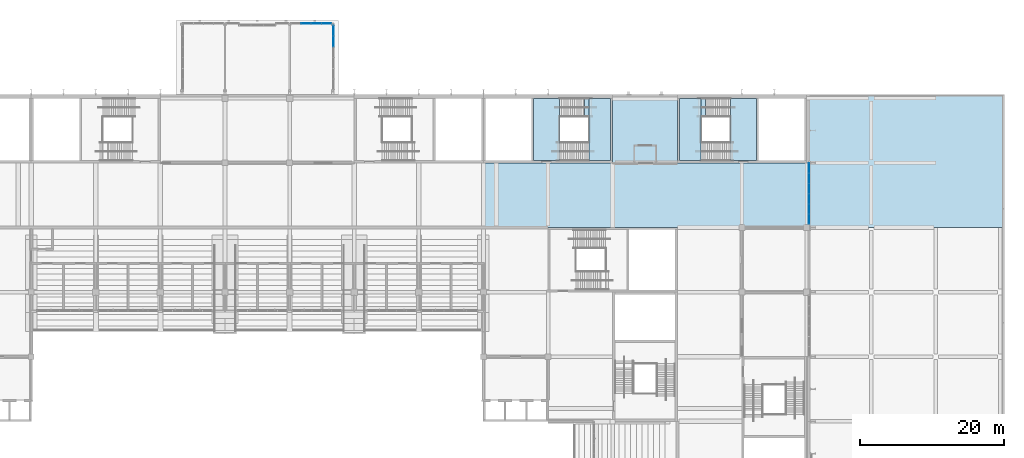
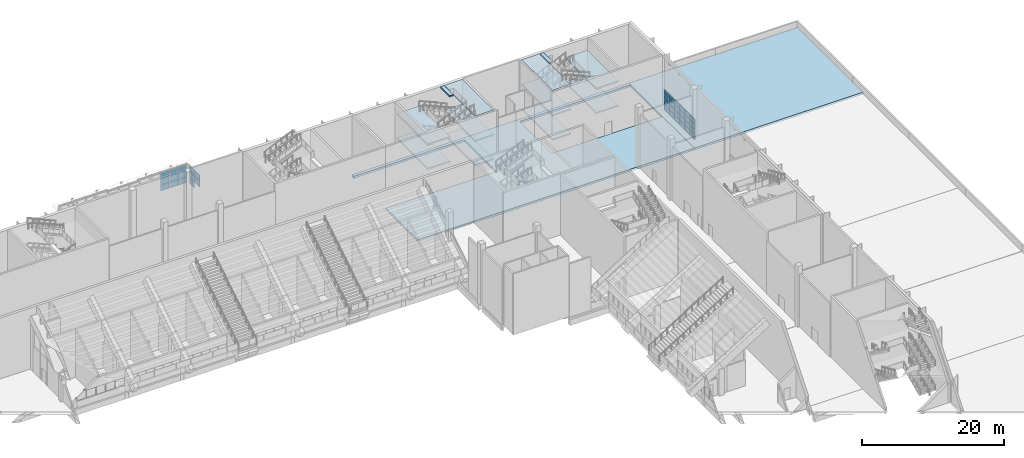
# One storey, part 79 of 182: 38 plates, 14 slabs, 5 elements without a shape of their own.
"""IFC4 building model written with IfcOpenShell, lengths in metres."""

from ifc_helpers import new_model, si_unit, direction, frame, origin, origin_2d, place, context, subcontext, project, spatial, polyline, rectangle, outline, extrude, material, layer, layer_set, type_object, element, aggregate, save


model = new_model("IFC4")

# Units and contexts
model_context = context("Model", 3, precision=1e-05, world=origin(), true_north=direction((0.0, 1.0)))
body_context = subcontext(model_context, "Body", "Model", "MODEL_VIEW")
ifc_project = project(units=[si_unit("LENGTHUNIT", "METRE"), si_unit("AREAUNIT", "SQUARE_METRE"), si_unit("VOLUMEUNIT", "CUBIC_METRE"), si_unit("PLANEANGLEUNIT", "RADIAN"), si_unit("MASSUNIT", "GRAM", prefix="KILO")], contexts=[model_context])

# Site, building, storey
site_placement = place(None, origin())
site = spatial("IfcSite", under=ifc_project, at=site_placement, CompositionType="ELEMENT")
building_placement = place(site_placement, origin())
building = spatial("IfcBuilding", under=site, at=building_placement, Name="Silverbay Arena", CompositionType="ELEMENT")
storey_placement = place(building_placement, frame((0.0, 0.0, 11.5)))
storey = spatial("IfcBuildingStorey", under=building, at=storey_placement, Name="L02", CompositionType="ELEMENT", Elevation=11.5)

# Curtain wall, plates
ifc_material_1 = material(Name="Aluminium framed curtain wall", Category="aluminium")
curtain_wall_type_1 = type_object("IfcCurtainWallType", Name="Curtain wall 5700 x 3200", PredefinedType="NOTDEFINED", material=ifc_material_1)
curtain_wall_1_placement = place(storey_placement, origin())
curtain_wall_1 = element("IfcCurtainWall", 1, at=curtain_wall_1_placement, inside=storey, type_object=curtain_wall_type_1, Name="North entrance hall N1 glazing F2", PredefinedType="NOTDEFINED")
ifc_material_2 = material(Name="Laminated glass", Category="glass")
ifc_layer_1 = layer(ifc_material_2, 0.028076171875)
ifc_layer_set_1 = layer_set([ifc_layer_1], Name="Laminated glass")
plate_type_1 = type_object("IfcPlateType", Name="Glass panel 28", PredefinedType="CURTAIN_PANEL", material=ifc_layer_set_1)
plate_1_placement = place(storey_placement, frame((137.28759765625, 154.409912109375, 0.050048828125), z_axis=(0.0, 0.0, 1.0), x_axis=(1.0, 0.0, 0.0)))
plate_1 = element("IfcPlate", 2, at=plate_1_placement, type_object=plate_type_1, Name="CW43 panel 2.1", PredefinedType="CURTAIN_PANEL", context=body_context, shape_type="SweptSolid", body=[
    extrude(rectangle(XDim=1.364990234375, YDim=0.028076171875, at=origin_2d()), origin(), (0.0, 0.0, 1.0), 0.99169921875),
])
plate_2_placement = place(storey_placement, frame((137.28759765625, 154.409912109375, 1.091796875), z_axis=(0.0, 0.0, 1.0), x_axis=(1.0, 0.0, 0.0)))
plate_2 = element("IfcPlate", 3, at=plate_2_placement, type_object=plate_type_1, Name="CW43 panel 2.2", PredefinedType="CURTAIN_PANEL", context=body_context, shape_type="SweptSolid", body=[
    extrude(rectangle(XDim=1.364990234375, YDim=0.028076171875, at=origin_2d()), origin(), (0.0, 0.0, 1.0), 1.0166015625),
])
plate_3_placement = place(storey_placement, frame((137.28759765625, 154.409912109375, 2.158203125), z_axis=(0.0, 0.0, 1.0), x_axis=(1.0, 0.0, 0.0)))
plate_3 = element("IfcPlate", 4, at=plate_3_placement, type_object=plate_type_1, Name="CW43 panel 2.3", PredefinedType="CURTAIN_PANEL", context=body_context, shape_type="SweptSolid", body=[
    extrude(rectangle(XDim=1.364990234375, YDim=0.028076171875, at=origin_2d()), origin(), (0.0, 0.0, 1.0), 0.99169921875),
])
plate_4_placement = place(storey_placement, frame((138.71240234375, 154.409912109375, 0.050048828125), z_axis=(0.0, 0.0, 1.0), x_axis=(1.0, 0.0, 0.0)))
plate_4 = element("IfcPlate", 5, at=plate_4_placement, type_object=plate_type_1, Name="CW43 panel 3.1", PredefinedType="CURTAIN_PANEL", context=body_context, shape_type="SweptSolid", body=[
    extrude(rectangle(XDim=1.364990234375, YDim=0.028076171875, at=origin_2d()), origin(), (0.0, 0.0, 1.0), 0.99169921875),
])
plate_5_placement = place(storey_placement, frame((138.71240234375, 154.409912109375, 1.091796875), z_axis=(0.0, 0.0, 1.0), x_axis=(1.0, 0.0, 0.0)))
plate_5 = element("IfcPlate", 6, at=plate_5_placement, type_object=plate_type_1, Name="CW43 panel 3.2", PredefinedType="CURTAIN_PANEL", context=body_context, shape_type="SweptSolid", body=[
    extrude(rectangle(XDim=1.364990234375, YDim=0.028076171875, at=origin_2d()), origin(), (0.0, 0.0, 1.0), 1.0166015625),
])
plate_6_placement = place(storey_placement, frame((138.71240234375, 154.409912109375, 2.158203125), z_axis=(0.0, 0.0, 1.0), x_axis=(1.0, 0.0, 0.0)))
plate_6 = element("IfcPlate", 7, at=plate_6_placement, type_object=plate_type_1, Name="CW43 panel 3.3", PredefinedType="CURTAIN_PANEL", context=body_context, shape_type="SweptSolid", body=[
    extrude(rectangle(XDim=1.364990234375, YDim=0.028076171875, at=origin_2d()), origin(), (0.0, 0.0, 1.0), 0.99169921875),
])
plate_7_placement = place(storey_placement, frame((140.12255859375, 154.409912109375, 0.050048828125), z_axis=(0.0, 0.0, 1.0), x_axis=(1.0, 0.0, 0.0)))
plate_7 = element("IfcPlate", 8, at=plate_7_placement, type_object=plate_type_1, Name="CW43 panel 4.1", PredefinedType="CURTAIN_PANEL", context=body_context, shape_type="SweptSolid", body=[
    extrude(rectangle(XDim=1.3349609375, YDim=0.028076171875, at=origin_2d()), origin(), (0.0, 0.0, 1.0), 0.99169921875),
])
plate_8_placement = place(storey_placement, frame((140.12255859375, 154.409912109375, 1.091796875), z_axis=(0.0, 0.0, 1.0), x_axis=(1.0, 0.0, 0.0)))
plate_8 = element("IfcPlate", 9, at=plate_8_placement, type_object=plate_type_1, Name="CW43 panel 4.2", PredefinedType="CURTAIN_PANEL", context=body_context, shape_type="SweptSolid", body=[
    extrude(rectangle(XDim=1.3349609375, YDim=0.028076171875, at=origin_2d()), origin(), (0.0, 0.0, 1.0), 1.0166015625),
])
plate_9_placement = place(storey_placement, frame((140.12255859375, 154.409912109375, 2.158203125), z_axis=(0.0, 0.0, 1.0), x_axis=(1.0, 0.0, 0.0)))
plate_9 = element("IfcPlate", 10, at=plate_9_placement, type_object=plate_type_1, Name="CW43 panel 4.3", PredefinedType="CURTAIN_PANEL", context=body_context, shape_type="SweptSolid", body=[
    extrude(rectangle(XDim=1.3349609375, YDim=0.028076171875, at=origin_2d()), origin(), (0.0, 0.0, 1.0), 0.99169921875),
])
aggregate(curtain_wall_1, [plate_1, plate_2, plate_3, plate_4, plate_5, plate_6, plate_7, plate_8, plate_9])

ifc_material_3 = material(Name="Aluminium framed curtain wall", Category="aluminium")
curtain_wall_type_2 = type_object("IfcCurtainWallType", Name="Curtain wall 8950 x 3200", PredefinedType="NOTDEFINED", material=ifc_material_3)
curtain_wall_2_placement = place(storey_placement, origin())
curtain_wall_2 = element("IfcCurtainWall", 11, at=curtain_wall_2_placement, inside=storey, type_object=curtain_wall_type_2, Name="North entrance hall N1 glazing SB", PredefinedType="NOTDEFINED")
plate_10_placement = place(storey_placement, frame((141.110107421875, 153.38916015625, 0.050048828125), z_axis=(0.0, 0.0, 1.0), x_axis=(0.0, -1.0, 0.0)))
plate_10 = element("IfcPlate", 12, at=plate_10_placement, type_object=plate_type_1, Name="CW47 panel 1.1", PredefinedType="CURTAIN_PANEL", context=body_context, shape_type="SweptSolid", body=[
    extrude(rectangle(XDim=1.401611328125, YDim=0.028076171875, at=origin_2d()), origin(), (0.0, 0.0, 1.0), 0.99169921875),
])
plate_11_placement = place(storey_placement, frame((141.110107421875, 153.38916015625, 1.091796875), z_axis=(0.0, 0.0, 1.0), x_axis=(0.0, -1.0, 0.0)))
plate_11 = element("IfcPlate", 13, at=plate_11_placement, type_object=plate_type_1, Name="CW47 panel 1.2", PredefinedType="CURTAIN_PANEL", context=body_context, shape_type="SweptSolid", body=[
    extrude(rectangle(XDim=1.401611328125, YDim=0.028076171875, at=origin_2d()), origin(), (0.0, 0.0, 1.0), 1.0166015625),
])
plate_12_placement = place(storey_placement, frame((141.110107421875, 153.38916015625, 2.158203125), z_axis=(0.0, 0.0, 1.0), x_axis=(0.0, -1.0, 0.0)))
plate_12 = element("IfcPlate", 14, at=plate_12_placement, type_object=plate_type_1, Name="CW47 panel 1.3", PredefinedType="CURTAIN_PANEL", context=body_context, shape_type="SweptSolid", body=[
    extrude(rectangle(XDim=1.401611328125, YDim=0.028076171875, at=origin_2d()), origin(), (0.0, 0.0, 1.0), 0.99169921875),
])
plate_13_placement = place(storey_placement, frame((141.110107421875, 151.91259765625, 1.091796875), z_axis=(0.0, 0.0, 1.0), x_axis=(0.0, -1.0, 0.0)))
plate_13 = element("IfcPlate", 15, at=plate_13_placement, type_object=plate_type_1, Name="CW47 panel 2.2", PredefinedType="CURTAIN_PANEL", context=body_context, shape_type="SweptSolid", body=[
    extrude(rectangle(XDim=1.431640625, YDim=0.028076171875, at=origin_2d()), origin(), (0.0, 0.0, 1.0), 1.0166015625),
])
plate_14_placement = place(storey_placement, frame((141.110107421875, 151.91259765625, 2.158203125), z_axis=(0.0, 0.0, 1.0), x_axis=(0.0, -1.0, 0.0)))
plate_14 = element("IfcPlate", 16, at=plate_14_placement, type_object=plate_type_1, Name="CW47 panel 2.3", PredefinedType="CURTAIN_PANEL", context=body_context, shape_type="SweptSolid", body=[
    extrude(rectangle(XDim=1.431640625, YDim=0.028076171875, at=origin_2d()), origin(), (0.0, 0.0, 1.0), 0.99169921875),
])
aggregate(curtain_wall_2, [plate_10, plate_11, plate_12, plate_13, plate_14])

ifc_material_4 = material(Name="Aluminium framed curtain wall", Category="aluminium")
curtain_wall_type_3 = type_object("IfcCurtainWallType", Name="Curtain wall 8550 x 3600", PredefinedType="NOTDEFINED", material=ifc_material_4)
curtain_wall_3_placement = place(storey_placement, origin())
curtain_wall_3 = element("IfcCurtainWall", 17, at=curtain_wall_3_placement, inside=storey, type_object=curtain_wall_type_3, Name="East curtain wall L02 bay 13", PredefinedType="NOTDEFINED")
ifc_material_5 = material(Name="Laminated glass", Category="glass")
ifc_layer_2 = layer(ifc_material_5, 0.035888671875)
ifc_layer_set_2 = layer_set([ifc_layer_2], Name="Laminated glass")
plate_type_2 = type_object("IfcPlateType", Name="Glass panel 36", PredefinedType="CURTAIN_PANEL", material=ifc_layer_set_2)
plate_15_placement = place(storey_placement, frame((207.35009765625, 127.177490234375, 1.0498046875), z_axis=(0.0, 0.0, 1.0), x_axis=(0.0, 1.0, 0.0)))
plate_15 = element("IfcPlate", 18, at=plate_15_placement, type_object=plate_type_2, Name="CW10 panel 1.1", PredefinedType="CURTAIN_PANEL", context=body_context, shape_type="SweptSolid", body=[
    extrude(rectangle(XDim=1.3349609375, YDim=0.035888671875, at=origin_2d()), origin(), (0.0, 0.0, 1.0), 0.824951171875),
])
plate_16_placement = place(storey_placement, frame((207.35009765625, 127.177490234375, 1.925048828125), z_axis=(0.0, 0.0, 1.0), x_axis=(0.0, 1.0, 0.0)))
plate_16 = element("IfcPlate", 19, at=plate_16_placement, type_object=plate_type_2, Name="CW10 panel 1.2", PredefinedType="CURTAIN_PANEL", context=body_context, shape_type="SweptSolid", body=[
    extrude(rectangle(XDim=1.3349609375, YDim=0.035888671875, at=origin_2d()), origin(), (0.0, 0.0, 1.0), 0.85009765625),
])
plate_17_placement = place(storey_placement, frame((207.35009765625, 127.177490234375, 2.824951171875), z_axis=(0.0, 0.0, 1.0), x_axis=(0.0, 1.0, 0.0)))
plate_17 = element("IfcPlate", 20, at=plate_17_placement, type_object=plate_type_2, Name="CW10 panel 1.3", PredefinedType="CURTAIN_PANEL", context=body_context, shape_type="SweptSolid", body=[
    extrude(rectangle(XDim=1.3349609375, YDim=0.035888671875, at=origin_2d()), origin(), (0.0, 0.0, 1.0), 0.85009765625),
])
plate_18_placement = place(storey_placement, frame((207.35009765625, 127.177490234375, 3.72509765625), z_axis=(0.0, 0.0, 1.0), x_axis=(0.0, 1.0, 0.0)))
plate_18 = element("IfcPlate", 21, at=plate_18_placement, type_object=plate_type_2, Name="CW10 panel 1.4", PredefinedType="CURTAIN_PANEL", context=body_context, shape_type="SweptSolid", body=[
    extrude(rectangle(XDim=1.3349609375, YDim=0.035888671875, at=origin_2d()), origin(), (0.0, 0.0, 1.0), 0.824951171875),
])
plate_19_placement = place(storey_placement, frame((207.35009765625, 128.58740234375, 1.0498046875), z_axis=(0.0, 0.0, 1.0), x_axis=(0.0, 1.0, 0.0)))
plate_19 = element("IfcPlate", 22, at=plate_19_placement, type_object=plate_type_2, Name="CW10 panel 2.1", PredefinedType="CURTAIN_PANEL", context=body_context, shape_type="SweptSolid", body=[
    extrude(rectangle(XDim=1.364990234375, YDim=0.035888671875, at=origin_2d()), origin(), (0.0, 0.0, 1.0), 0.824951171875),
])
plate_20_placement = place(storey_placement, frame((207.35009765625, 128.58740234375, 1.925048828125), z_axis=(0.0, 0.0, 1.0), x_axis=(0.0, 1.0, 0.0)))
plate_20 = element("IfcPlate", 23, at=plate_20_placement, type_object=plate_type_2, Name="CW10 panel 2.2", PredefinedType="CURTAIN_PANEL", context=body_context, shape_type="SweptSolid", body=[
    extrude(rectangle(XDim=1.364990234375, YDim=0.035888671875, at=origin_2d()), origin(), (0.0, 0.0, 1.0), 0.85009765625),
])
plate_21_placement = place(storey_placement, frame((207.35009765625, 128.58740234375, 2.824951171875), z_axis=(0.0, 0.0, 1.0), x_axis=(0.0, 1.0, 0.0)))
plate_21 = element("IfcPlate", 24, at=plate_21_placement, type_object=plate_type_2, Name="CW10 panel 2.3", PredefinedType="CURTAIN_PANEL", context=body_context, shape_type="SweptSolid", body=[
    extrude(rectangle(XDim=1.364990234375, YDim=0.035888671875, at=origin_2d()), origin(), (0.0, 0.0, 1.0), 0.85009765625),
])
plate_22_placement = place(storey_placement, frame((207.35009765625, 128.58740234375, 3.72509765625), z_axis=(0.0, 0.0, 1.0), x_axis=(0.0, 1.0, 0.0)))
plate_22 = element("IfcPlate", 25, at=plate_22_placement, type_object=plate_type_2, Name="CW10 panel 2.4", PredefinedType="CURTAIN_PANEL", context=body_context, shape_type="SweptSolid", body=[
    extrude(rectangle(XDim=1.364990234375, YDim=0.035888671875, at=origin_2d()), origin(), (0.0, 0.0, 1.0), 0.824951171875),
])
plate_23_placement = place(storey_placement, frame((207.35009765625, 130.012451171875, 1.0498046875), z_axis=(0.0, 0.0, 1.0), x_axis=(0.0, 1.0, 0.0)))
plate_23 = element("IfcPlate", 26, at=plate_23_placement, type_object=plate_type_2, Name="CW10 panel 3.1", PredefinedType="CURTAIN_PANEL", context=body_context, shape_type="SweptSolid", body=[
    extrude(rectangle(XDim=1.364990234375, YDim=0.035888671875, at=origin_2d()), origin(), (0.0, 0.0, 1.0), 0.824951171875),
])
plate_24_placement = place(storey_placement, frame((207.35009765625, 130.012451171875, 1.925048828125), z_axis=(0.0, 0.0, 1.0), x_axis=(0.0, 1.0, 0.0)))
plate_24 = element("IfcPlate", 27, at=plate_24_placement, type_object=plate_type_2, Name="CW10 panel 3.2", PredefinedType="CURTAIN_PANEL", context=body_context, shape_type="SweptSolid", body=[
    extrude(rectangle(XDim=1.364990234375, YDim=0.035888671875, at=origin_2d()), origin(), (0.0, 0.0, 1.0), 0.85009765625),
])
plate_25_placement = place(storey_placement, frame((207.35009765625, 130.012451171875, 2.824951171875), z_axis=(0.0, 0.0, 1.0), x_axis=(0.0, 1.0, 0.0)))
plate_25 = element("IfcPlate", 28, at=plate_25_placement, type_object=plate_type_2, Name="CW10 panel 3.3", PredefinedType="CURTAIN_PANEL", context=body_context, shape_type="SweptSolid", body=[
    extrude(rectangle(XDim=1.364990234375, YDim=0.035888671875, at=origin_2d()), origin(), (0.0, 0.0, 1.0), 0.85009765625),
])
plate_26_placement = place(storey_placement, frame((207.35009765625, 130.012451171875, 3.72509765625), z_axis=(0.0, 0.0, 1.0), x_axis=(0.0, 1.0, 0.0)))
plate_26 = element("IfcPlate", 29, at=plate_26_placement, type_object=plate_type_2, Name="CW10 panel 3.4", PredefinedType="CURTAIN_PANEL", context=body_context, shape_type="SweptSolid", body=[
    extrude(rectangle(XDim=1.364990234375, YDim=0.035888671875, at=origin_2d()), origin(), (0.0, 0.0, 1.0), 0.824951171875),
])
plate_27_placement = place(storey_placement, frame((207.35009765625, 131.4375, 1.0498046875), z_axis=(0.0, 0.0, 1.0), x_axis=(0.0, 1.0, 0.0)))
plate_27 = element("IfcPlate", 30, at=plate_27_placement, type_object=plate_type_2, Name="CW10 panel 4.1", PredefinedType="CURTAIN_PANEL", context=body_context, shape_type="SweptSolid", body=[
    extrude(rectangle(XDim=1.364990234375, YDim=0.035888671875, at=origin_2d()), origin(), (0.0, 0.0, 1.0), 0.824951171875),
])
plate_28_placement = place(storey_placement, frame((207.35009765625, 131.4375, 1.925048828125), z_axis=(0.0, 0.0, 1.0), x_axis=(0.0, 1.0, 0.0)))
plate_28 = element("IfcPlate", 31, at=plate_28_placement, type_object=plate_type_2, Name="CW10 panel 4.2", PredefinedType="CURTAIN_PANEL", context=body_context, shape_type="SweptSolid", body=[
    extrude(rectangle(XDim=1.364990234375, YDim=0.035888671875, at=origin_2d()), origin(), (0.0, 0.0, 1.0), 0.85009765625),
])
plate_29_placement = place(storey_placement, frame((207.35009765625, 131.4375, 2.824951171875), z_axis=(0.0, 0.0, 1.0), x_axis=(0.0, 1.0, 0.0)))
plate_29 = element("IfcPlate", 32, at=plate_29_placement, type_object=plate_type_2, Name="CW10 panel 4.3", PredefinedType="CURTAIN_PANEL", context=body_context, shape_type="SweptSolid", body=[
    extrude(rectangle(XDim=1.364990234375, YDim=0.035888671875, at=origin_2d()), origin(), (0.0, 0.0, 1.0), 0.85009765625),
])
plate_30_placement = place(storey_placement, frame((207.35009765625, 131.4375, 3.72509765625), z_axis=(0.0, 0.0, 1.0), x_axis=(0.0, 1.0, 0.0)))
plate_30 = element("IfcPlate", 33, at=plate_30_placement, type_object=plate_type_2, Name="CW10 panel 4.4", PredefinedType="CURTAIN_PANEL", context=body_context, shape_type="SweptSolid", body=[
    extrude(rectangle(XDim=1.364990234375, YDim=0.035888671875, at=origin_2d()), origin(), (0.0, 0.0, 1.0), 0.824951171875),
])
plate_31_placement = place(storey_placement, frame((207.35009765625, 132.862548828125, 1.0498046875), z_axis=(0.0, 0.0, 1.0), x_axis=(0.0, 1.0, 0.0)))
plate_31 = element("IfcPlate", 34, at=plate_31_placement, type_object=plate_type_2, Name="CW10 panel 5.1", PredefinedType="CURTAIN_PANEL", context=body_context, shape_type="SweptSolid", body=[
    extrude(rectangle(XDim=1.364990234375, YDim=0.035888671875, at=origin_2d()), origin(), (0.0, 0.0, 1.0), 0.824951171875),
])
plate_32_placement = place(storey_placement, frame((207.35009765625, 132.862548828125, 1.925048828125), z_axis=(0.0, 0.0, 1.0), x_axis=(0.0, 1.0, 0.0)))
plate_32 = element("IfcPlate", 35, at=plate_32_placement, type_object=plate_type_2, Name="CW10 panel 5.2", PredefinedType="CURTAIN_PANEL", context=body_context, shape_type="SweptSolid", body=[
    extrude(rectangle(XDim=1.364990234375, YDim=0.035888671875, at=origin_2d()), origin(), (0.0, 0.0, 1.0), 0.85009765625),
])
plate_33_placement = place(storey_placement, frame((207.35009765625, 132.862548828125, 2.824951171875), z_axis=(0.0, 0.0, 1.0), x_axis=(0.0, 1.0, 0.0)))
plate_33 = element("IfcPlate", 36, at=plate_33_placement, type_object=plate_type_2, Name="CW10 panel 5.3", PredefinedType="CURTAIN_PANEL", context=body_context, shape_type="SweptSolid", body=[
    extrude(rectangle(XDim=1.364990234375, YDim=0.035888671875, at=origin_2d()), origin(), (0.0, 0.0, 1.0), 0.85009765625),
])
plate_34_placement = place(storey_placement, frame((207.35009765625, 132.862548828125, 3.72509765625), z_axis=(0.0, 0.0, 1.0), x_axis=(0.0, 1.0, 0.0)))
plate_34 = element("IfcPlate", 37, at=plate_34_placement, type_object=plate_type_2, Name="CW10 panel 5.4", PredefinedType="CURTAIN_PANEL", context=body_context, shape_type="SweptSolid", body=[
    extrude(rectangle(XDim=1.364990234375, YDim=0.035888671875, at=origin_2d()), origin(), (0.0, 0.0, 1.0), 0.824951171875),
])
plate_35_placement = place(storey_placement, frame((207.35009765625, 134.2724609375, 1.0498046875), z_axis=(0.0, 0.0, 1.0), x_axis=(0.0, 1.0, 0.0)))
plate_35 = element("IfcPlate", 38, at=plate_35_placement, type_object=plate_type_2, Name="CW10 panel 6.1", PredefinedType="CURTAIN_PANEL", context=body_context, shape_type="SweptSolid", body=[
    extrude(rectangle(XDim=1.3349609375, YDim=0.035888671875, at=origin_2d()), origin(), (0.0, 0.0, 1.0), 0.824951171875),
])
plate_36_placement = place(storey_placement, frame((207.35009765625, 134.2724609375, 1.925048828125), z_axis=(0.0, 0.0, 1.0), x_axis=(0.0, 1.0, 0.0)))
plate_36 = element("IfcPlate", 39, at=plate_36_placement, type_object=plate_type_2, Name="CW10 panel 6.2", PredefinedType="CURTAIN_PANEL", context=body_context, shape_type="SweptSolid", body=[
    extrude(rectangle(XDim=1.3349609375, YDim=0.035888671875, at=origin_2d()), origin(), (0.0, 0.0, 1.0), 0.85009765625),
])
plate_37_placement = place(storey_placement, frame((207.35009765625, 134.2724609375, 2.824951171875), z_axis=(0.0, 0.0, 1.0), x_axis=(0.0, 1.0, 0.0)))
plate_37 = element("IfcPlate", 40, at=plate_37_placement, type_object=plate_type_2, Name="CW10 panel 6.3", PredefinedType="CURTAIN_PANEL", context=body_context, shape_type="SweptSolid", body=[
    extrude(rectangle(XDim=1.3349609375, YDim=0.035888671875, at=origin_2d()), origin(), (0.0, 0.0, 1.0), 0.85009765625),
])
plate_38_placement = place(storey_placement, frame((207.35009765625, 134.2724609375, 3.72509765625), z_axis=(0.0, 0.0, 1.0), x_axis=(0.0, 1.0, 0.0)))
plate_38 = element("IfcPlate", 41, at=plate_38_placement, type_object=plate_type_2, Name="CW10 panel 6.4", PredefinedType="CURTAIN_PANEL", context=body_context, shape_type="SweptSolid", body=[
    extrude(rectangle(XDim=1.3349609375, YDim=0.035888671875, at=origin_2d()), origin(), (0.0, 0.0, 1.0), 0.824951171875),
])
aggregate(curtain_wall_3, [plate_15, plate_16, plate_17, plate_18, plate_19, plate_20, plate_21, plate_22, plate_23, plate_24, plate_25, plate_26, plate_27, plate_28, plate_29, plate_30, plate_31, plate_32, plate_33, plate_34, plate_35, plate_36, plate_37, plate_38])

# Slabs
ifc_material_6 = material(Name="Concrete Grade C45", Category="concrete")
ifc_layer_3 = layer(ifc_material_6, 0.35009765625)
ifc_layer_set_3 = layer_set([ifc_layer_3], Name="Concrete Grade C45")
slab_type_1 = type_object("IfcSlabType", Name="RC floor slab 350", PredefinedType="FLOOR", material=ifc_layer_set_3)
slab_1_placement = place(storey_placement, frame((0.0, 0.0, -0.35009765625)))
element("IfcSlab", 42, at=slab_1_placement, inside=storey, type_object=slab_type_1, Name="Floor slab L02 unit 14", PredefinedType="FLOOR", context=body_context, shape_type="SweptSolid", body=[
    extrude(outline(polyline([(162.0, 126.02490234375), (162.0, 135.0), (180.0, 135.0), (180.0, 144.0), (162.0, 144.0), (162.0, 144.5), (207.0, 144.5), (207.0, 144.0), (189.0, 144.0), (189.0, 135.0), (207.0, 135.0), (207.0, 126.02490234375), (162.0, 126.02490234375)])), origin(), (0.0, 0.0, 1.0), 0.35009765625),
])
ifc_material_7 = material(Name="Concrete Grade C45", Category="concrete")
ifc_layer_4 = layer(ifc_material_7, 0.35009765625)
ifc_layer_set_4 = layer_set([ifc_layer_4], Name="Concrete Grade C45")
slab_type_2 = type_object("IfcSlabType", Name="RC roof slab 350", PredefinedType="ROOF", material=ifc_layer_set_4)
slab_2_placement = place(storey_placement, frame((0.0, 0.0, -0.35009765625)))
element("IfcSlab", 43, at=slab_2_placement, inside=storey, type_object=slab_type_2, Name="Roof slab L02 unit 10", PredefinedType="ROOF", context=body_context, shape_type="SweptSolid", body=[
    extrude(outline(polyline([(207.0, 126.02490234375), (207.0, 144.5), (234.5, 144.5), (234.5, 126.02490234375), (207.0, 126.02490234375)])), origin(), (0.0, 0.0, 1.0), 0.35009765625),
])

# Stair, slab
ifc_material_8 = material(Name="Concrete Grade C45", Category="concrete")
stair_type = type_object("IfcStairType", Name="Stair 2600 wide 80 risers 131.2 x 300", PredefinedType="HALF_TURN_STAIR", material=ifc_material_8)
stair_1_placement = place(storey_placement, origin())
stair_1 = element("IfcStair", 44, at=stair_1_placement, inside=storey, type_object=stair_type, Name="Stair ST-N4 L02 to L03", PredefinedType="HALF_TURN_STAIR")
ifc_material_9 = material(Name="Concrete Grade C45", Category="concrete")
ifc_layer_5 = layer(ifc_material_9, 0.25)
ifc_layer_set_5 = layer_set([ifc_layer_5], Name="Concrete Grade C45")
slab_type_3 = type_object("IfcSlabType", Name="Stair arrival platform RC 250", PredefinedType="FLOOR", material=ifc_layer_set_5)
slab_3_placement = place(storey_placement, frame((0.0, 0.0, 10.25)))
slab_3 = element("IfcSlab", 45, at=slab_3_placement, type_object=slab_type_3, Name="Stair ST-N4 L02 to L03 arrival platform 6", PredefinedType="FLOOR", context=body_context, shape_type="SweptSolid", body=[
    extrude(outline(polyline([(176.10009765625, 141.39990234375), (176.725830078125, 141.39990234375), (176.725830078125, 144.0), (176.10009765625, 144.0), (176.10009765625, 141.39990234375)])), origin(), (0.0, 0.0, 1.0), 0.25),
])

stair_2_placement = place(storey_placement, origin())
stair_2 = element("IfcStair", 46, at=stair_2_placement, inside=storey, type_object=stair_type, Name="Stair ST-N6 L02 to L03", PredefinedType="HALF_TURN_STAIR")
slab_4_placement = place(storey_placement, frame((0.0, 0.0, 10.25)))
slab_4 = element("IfcSlab", 47, at=slab_4_placement, type_object=slab_type_3, Name="Stair ST-N6 L02 to L03 arrival platform 6", PredefinedType="FLOOR", context=body_context, shape_type="SweptSolid", body=[
    extrude(outline(polyline([(192.89990234375, 141.39990234375), (192.274169921875, 141.39990234375), (192.274169921875, 144.0), (192.89990234375, 144.0), (192.89990234375, 141.39990234375)])), origin(), (0.0, 0.0, 1.0), 0.25),
])

# Slab
ifc_material_10 = material(Name="Concrete Grade C45", Category="concrete")
ifc_layer_6 = layer(ifc_material_10, 0.25)
ifc_layer_set_6 = layer_set([ifc_layer_6], Name="Concrete Grade C45")
slab_type_4 = type_object("IfcSlabType", Name="Stair landing RC 250", PredefinedType="LANDING", material=ifc_layer_set_6)
slab_5_placement = place(storey_placement, frame((0.0, 0.0, 1.85009765625)))
slab_5 = element("IfcSlab", 48, at=slab_5_placement, type_object=slab_type_4, Name="Stair ST-N4 L02 to L03 landing 1", PredefinedType="LANDING", context=body_context, shape_type="SweptSolid", body=[
    extrude(outline(polyline([(176.725830078125, 135.300048828125), (179.699951171875, 135.300048828125), (179.699951171875, 144.0), (176.725830078125, 144.0), (176.725830078125, 135.300048828125)])), origin(), (0.0, 0.0, 1.0), 0.25),
])

slab_6_placement = place(storey_placement, frame((0.0, 0.0, 3.949951171875)))
slab_6 = element("IfcSlab", 49, at=slab_6_placement, type_object=slab_type_4, Name="Stair ST-N4 L02 to L03 landing 2", PredefinedType="LANDING", context=body_context, shape_type="SweptSolid", body=[
    extrude(outline(polyline([(169.0, 135.300048828125), (172.60009765625, 135.300048828125), (172.60009765625, 144.0), (169.0, 144.0), (169.0, 135.300048828125)])), origin(), (0.0, 0.0, 1.0), 0.25),
])

slab_7_placement = place(storey_placement, frame((0.0, 0.0, 6.050048828125)))
slab_7 = element("IfcSlab", 50, at=slab_7_placement, type_object=slab_type_4, Name="Stair ST-N4 L02 to L03 landing 3", PredefinedType="LANDING", context=body_context, shape_type="SweptSolid", body=[
    extrude(outline(polyline([(176.725830078125, 135.300048828125), (179.699951171875, 135.300048828125), (179.699951171875, 144.0), (176.725830078125, 144.0), (176.725830078125, 135.300048828125)])), origin(), (0.0, 0.0, 1.0), 0.25),
])

slab_8_placement = place(storey_placement, frame((0.0, 0.0, 8.14990234375)))
slab_8 = element("IfcSlab", 51, at=slab_8_placement, type_object=slab_type_4, Name="Stair ST-N4 L02 to L03 landing 4", PredefinedType="LANDING", context=body_context, shape_type="SweptSolid", body=[
    extrude(outline(polyline([(169.0, 135.300048828125), (172.60009765625, 135.300048828125), (172.60009765625, 144.0), (169.0, 144.0), (169.0, 135.300048828125)])), origin(), (0.0, 0.0, 1.0), 0.25),
])

slab_9_placement = place(storey_placement, frame((0.0, 0.0, 10.25)))
slab_9 = element("IfcSlab", 52, at=slab_9_placement, type_object=slab_type_4, Name="Stair ST-N4 L02 to L03 landing 5", PredefinedType="LANDING", context=body_context, shape_type="SweptSolid", body=[
    extrude(outline(polyline([(176.725830078125, 135.300048828125), (179.699951171875, 135.300048828125), (179.699951171875, 144.0), (176.725830078125, 144.0), (176.725830078125, 135.300048828125)])), origin(), (0.0, 0.0, 1.0), 0.25),
])

aggregate(stair_1, [slab_5, slab_6, slab_7, slab_8, slab_9, slab_3])

slab_10_placement = place(storey_placement, frame((0.0, 0.0, 1.85009765625)))
slab_10 = element("IfcSlab", 53, at=slab_10_placement, type_object=slab_type_4, Name="Stair ST-N6 L02 to L03 landing 1", PredefinedType="LANDING", context=body_context, shape_type="SweptSolid", body=[
    extrude(outline(polyline([(192.274169921875, 135.300048828125), (189.300048828125, 135.300048828125), (189.300048828125, 144.0), (192.274169921875, 144.0), (192.274169921875, 135.300048828125)])), origin(), (0.0, 0.0, 1.0), 0.25),
])

slab_11_placement = place(storey_placement, frame((0.0, 0.0, 3.949951171875)))
slab_11 = element("IfcSlab", 54, at=slab_11_placement, type_object=slab_type_4, Name="Stair ST-N6 L02 to L03 landing 2", PredefinedType="LANDING", context=body_context, shape_type="SweptSolid", body=[
    extrude(outline(polyline([(200.0, 135.300048828125), (196.39990234375, 135.300048828125), (196.39990234375, 144.0), (200.0, 144.0), (200.0, 135.300048828125)])), origin(), (0.0, 0.0, 1.0), 0.25),
])

slab_12_placement = place(storey_placement, frame((0.0, 0.0, 6.050048828125)))
slab_12 = element("IfcSlab", 55, at=slab_12_placement, type_object=slab_type_4, Name="Stair ST-N6 L02 to L03 landing 3", PredefinedType="LANDING", context=body_context, shape_type="SweptSolid", body=[
    extrude(outline(polyline([(192.274169921875, 135.300048828125), (189.300048828125, 135.300048828125), (189.300048828125, 144.0), (192.274169921875, 144.0), (192.274169921875, 135.300048828125)])), origin(), (0.0, 0.0, 1.0), 0.25),
])

slab_13_placement = place(storey_placement, frame((0.0, 0.0, 8.14990234375)))
slab_13 = element("IfcSlab", 56, at=slab_13_placement, type_object=slab_type_4, Name="Stair ST-N6 L02 to L03 landing 4", PredefinedType="LANDING", context=body_context, shape_type="SweptSolid", body=[
    extrude(outline(polyline([(200.0, 135.300048828125), (196.39990234375, 135.300048828125), (196.39990234375, 144.0), (200.0, 144.0), (200.0, 135.300048828125)])), origin(), (0.0, 0.0, 1.0), 0.25),
])

slab_14_placement = place(storey_placement, frame((0.0, 0.0, 10.25)))
slab_14 = element("IfcSlab", 57, at=slab_14_placement, type_object=slab_type_4, Name="Stair ST-N6 L02 to L03 landing 5", PredefinedType="LANDING", context=body_context, shape_type="SweptSolid", body=[
    extrude(outline(polyline([(192.274169921875, 135.300048828125), (189.300048828125, 135.300048828125), (189.300048828125, 144.0), (192.274169921875, 144.0), (192.274169921875, 135.300048828125)])), origin(), (0.0, 0.0, 1.0), 0.25),
])

aggregate(stair_2, [slab_10, slab_11, slab_12, slab_13, slab_14, slab_4])

save(model, "model.ifc")
